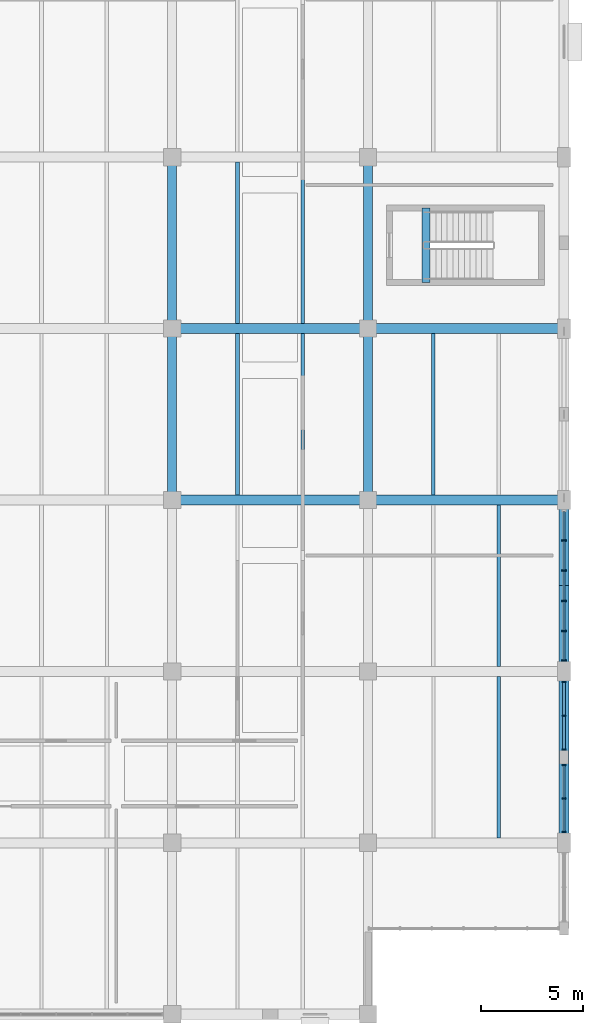
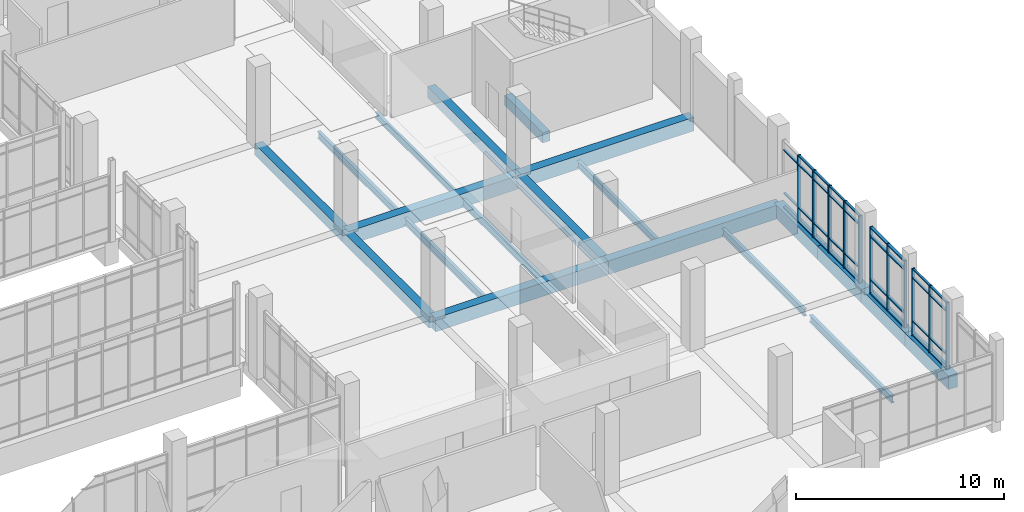
# One storey, part 63 of 152: 46 members, 20 beams, 3 elements without a shape of their own.
"""IFC4 building model written with IfcOpenShell, lengths in metres."""

from ifc_helpers import new_model, si_unit, direction, frame, origin, origin_2d, place, context, subcontext, project, spatial, rectangle, i_section, extrude, material, material_profile, profile_set, type_object, element, aggregate, save


model = new_model("IFC4")

# Units and contexts
model_context = context("Model", 3, precision=1e-05, world=origin(), true_north=direction((0.0, 1.0)))
body_context = subcontext(model_context, "Body", "Model", "MODEL_VIEW")
ifc_project = project(units=[si_unit("LENGTHUNIT", "METRE"), si_unit("AREAUNIT", "SQUARE_METRE"), si_unit("VOLUMEUNIT", "CUBIC_METRE"), si_unit("PLANEANGLEUNIT", "RADIAN"), si_unit("MASSUNIT", "GRAM", prefix="KILO")], contexts=[model_context])

# Site, building, storey
site_placement = place(None, origin())
site = spatial("IfcSite", under=ifc_project, at=site_placement, CompositionType="ELEMENT")
building_placement = place(site_placement, origin())
building = spatial("IfcBuilding", under=site, at=building_placement, Name="Oolite Switchyard Hospital", CompositionType="ELEMENT")
storey_placement = place(building_placement, frame((0.0, 0.0, 5.10009765625)))
storey = spatial("IfcBuildingStorey", under=building, at=storey_placement, Name="L01", CompositionType="ELEMENT", Elevation=5.10009765625)

# Beams
ifc_material_1 = material(Name="Concrete C40/50", Category="concrete")
ifc_material_profile_1 = material_profile(ifc_material_1, rectangle(XDim=0.39990234375, YDim=0.60009765625, at=origin_2d()), Name="RCB400X600")
ifc_profile_set_1 = profile_set([ifc_material_profile_1], Name="Concrete C40/50")
beam_type_1 = type_object("IfcBeamType", Name="BM-RC400X600", PredefinedType="BEAM", material=ifc_profile_set_1)
beam_1_placement = place(storey_placement, frame((204.43994140625, 44.25, -0.300048828125), z_axis=(0.0, 1.0, 0.0), x_axis=(-1.0, 0.0, 0.0)))
element("IfcBeam", 1, at=beam_1_placement, inside=storey, type_object=beam_type_1, Name="L01 ST-06 Stair Throat Trimmer Beam", PredefinedType="BEAM", context=body_context, shape_type="SweptSolid", body=[
    extrude(rectangle(XDim=0.39990234375, YDim=0.60009765625, at=origin_2d()), origin(), (0.0, 0.0, 1.0), 3.659912109375),
])
ifc_material_profile_2 = material_profile(ifc_material_1, rectangle(XDim=0.449951171875, YDim=0.64990234375, at=origin_2d()), Name="RCB450X650")
ifc_profile_set_2 = profile_set([ifc_material_profile_2], Name="Concrete C40/50")
beam_type_2 = type_object("IfcBeamType", Name="BM-RC450X650", PredefinedType="BEAM", material=ifc_profile_set_2)
for number, where, z_axis, x_axis, name in (
    (2, (192.0, 33.60009765625, -0.3251953125), (0.0, 1.0, 0.0), (-1.0, 0.0, 0.0), "L01 Y-Girder 526"),
    (3, (192.0, 42.0, -0.3251953125), (0.0, 1.0, 0.0), (-1.0, 0.0, 0.0), "L01 Y-Girder 527"),
    (4, (201.60009765625, 33.60009765625, -0.3251953125), (0.0, 1.0, 0.0), (-1.0, 0.0, 0.0), "L01 Y-Girder 538"),
    (5, (201.60009765625, 42.0, -0.3251953125), (0.0, 1.0, 0.0), (-1.0, 0.0, 0.0), "L01 Y-Girder 539"),
):
    element("IfcBeam", number, at=place(storey_placement, frame(where, z_axis=z_axis, x_axis=x_axis)), inside=storey, type_object=beam_type_2, Name=name, PredefinedType="BEAM", context=body_context, shape_type="SweptSolid", body=[
        extrude(rectangle(XDim=0.449951171875, YDim=0.64990234375, at=origin_2d()), origin(), (0.0, 0.0, 1.0), 8.39990234375),
    ])
ifc_material_profile_3 = material_profile(ifc_material_1, rectangle(XDim=0.5, YDim=0.800048828125, at=origin_2d()), Name="RCB500X800")
ifc_profile_set_3 = profile_set([ifc_material_profile_3], Name="Concrete C40/50")
beam_type_3 = type_object("IfcBeamType", Name="BM-RC500X800", PredefinedType="BEAM", material=ifc_profile_set_3)
beam_2_placement = place(storey_placement, frame((192.0, 33.60009765625, -0.400146484375), z_axis=(1.0, 0.0, 0.0), x_axis=(0.0, 1.0, 0.0)))
element("IfcBeam", 6, at=beam_2_placement, inside=storey, type_object=beam_type_3, Name="L01 X-Girder 78", PredefinedType="BEAM", context=body_context, shape_type="SweptSolid", body=[
    extrude(rectangle(XDim=0.5, YDim=0.800048828125, at=origin_2d()), origin(), (0.0, 0.0, 1.0), 9.60009765625),
])
beam_3_placement = place(storey_placement, frame((201.60009765625, 33.60009765625, -0.400146484375), z_axis=(1.0, 0.0, 0.0), x_axis=(0.0, 1.0, 0.0)))
element("IfcBeam", 7, at=beam_3_placement, inside=storey, type_object=beam_type_3, Name="L01 X-Girder 79", PredefinedType="BEAM", context=body_context, shape_type="SweptSolid", body=[
    extrude(rectangle(XDim=0.5, YDim=0.800048828125, at=origin_2d()), origin(), (0.0, 0.0, 1.0), 9.599853515625),
])
beam_4_placement = place(storey_placement, frame((192.0, 42.0, -0.400146484375), z_axis=(1.0, 0.0, 0.0), x_axis=(0.0, 1.0, 0.0)))
element("IfcBeam", 8, at=beam_4_placement, inside=storey, type_object=beam_type_3, Name="L01 X-Girder 94", PredefinedType="BEAM", context=body_context, shape_type="SweptSolid", body=[
    extrude(rectangle(XDim=0.5, YDim=0.800048828125, at=origin_2d()), origin(), (0.0, 0.0, 1.0), 9.60009765625),
])
beam_5_placement = place(storey_placement, frame((201.60009765625, 42.0, -0.400146484375), z_axis=(1.0, 0.0, 0.0), x_axis=(0.0, 1.0, 0.0)))
element("IfcBeam", 9, at=beam_5_placement, inside=storey, type_object=beam_type_3, Name="L01 X-Girder 95", PredefinedType="BEAM", context=body_context, shape_type="SweptSolid", body=[
    extrude(rectangle(XDim=0.5, YDim=0.800048828125, at=origin_2d()), origin(), (0.0, 0.0, 1.0), 9.599853515625),
])
for number, where, z_axis, x_axis, name in (
    (10, (211.199951171875, 16.800048828125, -0.400146484375), (0.0, 1.0, 0.0), (-1.0, 0.0, 0.0), "L01 Y-Girder 548"),
    (11, (211.199951171875, 21.0, -0.400146484375), (0.0, 1.0, 0.0), (-1.0, 0.0, 0.0), "L01 Y-Girder 549"),
    (12, (211.199951171875, 25.199951171875, -0.400146484375), (0.0, 1.0, 0.0), (-1.0, 0.0, 0.0), "L01 Y-Girder 550"),
):
    element("IfcBeam", number, at=place(storey_placement, frame(where, z_axis=z_axis, x_axis=x_axis)), inside=storey, type_object=beam_type_3, Name=name, PredefinedType="BEAM", context=body_context, shape_type="SweptSolid", body=[
        extrude(rectangle(XDim=0.5, YDim=0.800048828125, at=origin_2d()), origin(), (0.0, 0.0, 1.0), 4.199951171875),
    ])
beam_6_placement = place(storey_placement, frame((211.199951171875, 29.39990234375, -0.400146484375), z_axis=(0.0, 1.0, 0.0), x_axis=(-1.0, 0.0, 0.0)))
element("IfcBeam", 13, at=beam_6_placement, inside=storey, type_object=beam_type_3, Name="L01 Y-Girder 551", PredefinedType="BEAM", context=body_context, shape_type="SweptSolid", body=[
    extrude(rectangle(XDim=0.5, YDim=0.800048828125, at=origin_2d()), origin(), (0.0, 0.0, 1.0), 4.2001953125),
])
ifc_material_2 = material(Name="Steel ASTM A992 Grade 50", Category="steel")
ifc_material_profile_4 = material_profile(ifc_material_2, i_section(OverallWidth=0.1708984375, OverallDepth=0.35107421875, WebThickness=0.007080078125, FlangeThickness=0.010009765625, at=origin_2d()), Name="W14X30")
ifc_profile_set_4 = profile_set([ifc_material_profile_4], Name="Steel ASTM A992 Grade 50")
beam_type_4 = type_object("IfcBeamType", Name="BM-W14X30", PredefinedType="JOIST", material=ifc_profile_set_4)
beam_7_placement = place(storey_placement, frame((198.39990234375, 42.25, -0.4501953125), z_axis=(0.0, 1.0, 0.0), x_axis=(-1.0, 0.0, 0.0)))
element("IfcBeam", 14, at=beam_7_placement, inside=storey, type_object=beam_type_4, Name="L01 Secondary Steel Joist 959", PredefinedType="JOIST", context=body_context, shape_type="SweptSolid", body=[
    extrude(i_section(OverallWidth=0.1708984375, OverallDepth=0.35107421875, WebThickness=0.007080078125, FlangeThickness=0.010009765625, at=origin_2d()), origin(), (0.0, 0.0, 1.0), 7.89990234375),
])
ifc_material_profile_5 = material_profile(ifc_material_2, i_section(OverallWidth=0.177978515625, OverallDepth=0.403076171875, WebThickness=0.008056640625, FlangeThickness=0.010986328125, at=origin_2d()), Name="W16X36")
ifc_profile_set_5 = profile_set([ifc_material_profile_5], Name="Steel ASTM A992 Grade 50")
beam_type_5 = type_object("IfcBeamType", Name="BM-W16X36", PredefinedType="JOIST", material=ifc_profile_set_5)
for number, where, z_axis, x_axis, name in (
    (15, (198.39990234375, 33.85009765625, -0.47705078125), (0.0, 1.0, 0.0), (-1.0, 0.0, 0.0), "L01 Secondary Steel Joist 957"),
    (16, (195.199951171875, 42.25, -0.47705078125), (0.0, 1.0, 0.0), (-1.0, 0.0, 0.0), "L01 Secondary Steel Joist 958"),
):
    element("IfcBeam", number, at=place(storey_placement, frame(where, z_axis=z_axis, x_axis=x_axis)), inside=storey, type_object=beam_type_5, Name=name, PredefinedType="JOIST", context=body_context, shape_type="SweptSolid", body=[
        extrude(i_section(OverallWidth=0.177978515625, OverallDepth=0.403076171875, WebThickness=0.008056640625, FlangeThickness=0.010986328125, at=origin_2d()), origin(), (0.0, 0.0, 1.0), 7.89990234375),
    ])
beam_8_placement = place(storey_placement, frame((208.0, 25.449951171875, -0.47705078125), z_axis=(0.0, 1.0, 0.0), x_axis=(-1.0, 0.0, 0.0)))
element("IfcBeam", 17, at=beam_8_placement, inside=storey, type_object=beam_type_5, Name="L01 Secondary Steel Joist 975", PredefinedType="JOIST", context=body_context, shape_type="SweptSolid", body=[
    extrude(i_section(OverallWidth=0.177978515625, OverallDepth=0.403076171875, WebThickness=0.008056640625, FlangeThickness=0.010986328125, at=origin_2d()), origin(), (0.0, 0.0, 1.0), 7.900146484375),
])
beam_9_placement = place(storey_placement, frame((204.800048828125, 33.85009765625, -0.47705078125), z_axis=(0.0, 1.0, 0.0), x_axis=(-1.0, 0.0, 0.0)))
element("IfcBeam", 18, at=beam_9_placement, inside=storey, type_object=beam_type_5, Name="L01 Secondary Steel Joist 976", PredefinedType="JOIST", context=body_context, shape_type="SweptSolid", body=[
    extrude(i_section(OverallWidth=0.177978515625, OverallDepth=0.403076171875, WebThickness=0.008056640625, FlangeThickness=0.010986328125, at=origin_2d()), origin(), (0.0, 0.0, 1.0), 7.89990234375),
])
ifc_material_profile_6 = material_profile(ifc_material_2, i_section(OverallWidth=0.179931640625, OverallDepth=0.4130859375, WebThickness=0.010009765625, FlangeThickness=0.01611328125, at=origin_2d()), Name="W16X50")
ifc_profile_set_6 = profile_set([ifc_material_profile_6], Name="Steel ASTM A992 Grade 50")
beam_type_6 = type_object("IfcBeamType", Name="BM-W16X50", PredefinedType="JOIST", material=ifc_profile_set_6)
for number, where, z_axis, x_axis, name in (
    (19, (195.199951171875, 33.85009765625, -0.482177734375), (0.0, 1.0, 0.0), (-1.0, 0.0, 0.0), "L01 Secondary Steel Joist 956"),
    (20, (208.0, 17.050048828125, -0.482177734375), (0.0, 1.0, 0.0), (-1.0, 0.0, 0.0), "L01 Secondary Steel Joist 973"),
):
    element("IfcBeam", number, at=place(storey_placement, frame(where, z_axis=z_axis, x_axis=x_axis)), inside=storey, type_object=beam_type_6, Name=name, PredefinedType="JOIST", context=body_context, shape_type="SweptSolid", body=[
        extrude(i_section(OverallWidth=0.179931640625, OverallDepth=0.4130859375, WebThickness=0.010009765625, FlangeThickness=0.01611328125, at=origin_2d()), origin(), (0.0, 0.0, 1.0), 7.89990234375),
    ])

# Curtain wall, members
ifc_material_3 = material(Name="Thermally broken aluminum frame with laminated impact glazing", Category="aluminium")
curtain_wall_type = type_object("IfcCurtainWallType", Name="CW-UNIT-84X48", PredefinedType="USERDEFINED", material=ifc_material_3)
curtain_wall_1_placement = place(storey_placement, origin())
curtain_wall_1 = element("IfcCurtainWall", 21, at=curtain_wall_1_placement, inside=storey, type_object=curtain_wall_type, Name="L01 Unitised Curtain Wall 203", ObjectType="UNITISED", PredefinedType="USERDEFINED")
ifc_material_4 = material(Name="Aluminium 6063-T6", Category="aluminium")
ifc_material_profile_7 = material_profile(ifc_material_4, rectangle(XDim=0.159912109375, YDim=0.06005859375, at=origin_2d()), Name="CWM60X160")
ifc_profile_set_7 = profile_set([ifc_material_profile_7], Name="Aluminium 6063-T6")
member_type_1 = type_object("IfcMemberType", Name="CW-MUL-180", PredefinedType="MULLION", material=ifc_profile_set_7)
member_1_placement = place(storey_placement, frame((211.199951171875, 24.679931640625, 0.0), z_axis=(0.0, 0.0, 1.0), x_axis=(1.0, 0.0, 0.0)))
member_1 = element("IfcMember", 22, at=member_1_placement, type_object=member_type_1, Name="CW-07 mullion 1", PredefinedType="MULLION", context=body_context, shape_type="SweptSolid", body=[
    extrude(rectangle(XDim=0.159912109375, YDim=0.06005859375, at=origin_2d()), origin(), (0.0, 0.0, 1.0), 3.93994140625),
])
member_2_placement = place(storey_placement, frame((211.199951171875, 23.02490234375, 0.0), z_axis=(0.0, 0.0, 1.0), x_axis=(1.0, 0.0, 0.0)))
member_2 = element("IfcMember", 23, at=member_2_placement, type_object=member_type_1, Name="CW-07 mullion 2", PredefinedType="MULLION", context=body_context, shape_type="SweptSolid", body=[
    extrude(rectangle(XDim=0.159912109375, YDim=0.06005859375, at=origin_2d()), origin(), (0.0, 0.0, 1.0), 3.93994140625),
])
member_3_placement = place(storey_placement, frame((211.199951171875, 21.3701171875, 0.0), z_axis=(0.0, 0.0, 1.0), x_axis=(1.0, 0.0, 0.0)))
member_3 = element("IfcMember", 24, at=member_3_placement, type_object=member_type_1, Name="CW-07 mullion 3", PredefinedType="MULLION", context=body_context, shape_type="SweptSolid", body=[
    extrude(rectangle(XDim=0.159912109375, YDim=0.06005859375, at=origin_2d()), origin(), (0.0, 0.0, 1.0), 3.93994140625),
])

curtain_wall_2_placement = place(storey_placement, origin())
curtain_wall_2 = element("IfcCurtainWall", 25, at=curtain_wall_2_placement, inside=storey, type_object=curtain_wall_type, Name="L01 Unitised Curtain Wall 204", ObjectType="UNITISED", PredefinedType="USERDEFINED")
ifc_material_profile_8 = material_profile(ifc_material_4, rectangle(XDim=0.179931640625, YDim=0.070068359375, at=origin_2d()), Name="CWM70X180")
ifc_profile_set_8 = profile_set([ifc_material_profile_8], Name="Aluminium 6063-T6")
member_type_2 = type_object("IfcMemberType", Name="CW-MUL-220", PredefinedType="MULLION", material=ifc_profile_set_8)
member_4_placement = place(storey_placement, frame((211.199951171875, 20.625, 0.0), z_axis=(0.0, 0.0, 1.0), x_axis=(1.0, 0.0, 0.0)))
member_4 = element("IfcMember", 26, at=member_4_placement, type_object=member_type_2, Name="CW-07 mullion 1", PredefinedType="MULLION", context=body_context, shape_type="SweptSolid", body=[
    extrude(rectangle(XDim=0.179931640625, YDim=0.070068359375, at=origin_2d()), origin(), (0.0, 0.0, 1.0), 3.93994140625),
])
member_5_placement = place(storey_placement, frame((211.199951171875, 18.97509765625, 0.0), z_axis=(0.0, 0.0, 1.0), x_axis=(1.0, 0.0, 0.0)))
member_5 = element("IfcMember", 27, at=member_5_placement, type_object=member_type_2, Name="CW-07 mullion 2", PredefinedType="MULLION", context=body_context, shape_type="SweptSolid", body=[
    extrude(rectangle(XDim=0.179931640625, YDim=0.070068359375, at=origin_2d()), origin(), (0.0, 0.0, 1.0), 3.93994140625),
])
member_6_placement = place(storey_placement, frame((211.199951171875, 17.324951171875, 0.0), z_axis=(0.0, 0.0, 1.0), x_axis=(1.0, 0.0, 0.0)))
member_6 = element("IfcMember", 28, at=member_6_placement, type_object=member_type_2, Name="CW-07 mullion 3", PredefinedType="MULLION", context=body_context, shape_type="SweptSolid", body=[
    extrude(rectangle(XDim=0.179931640625, YDim=0.070068359375, at=origin_2d()), origin(), (0.0, 0.0, 1.0), 3.93994140625),
])

curtain_wall_3_placement = place(storey_placement, origin())
curtain_wall_3 = element("IfcCurtainWall", 29, at=curtain_wall_3_placement, inside=storey, type_object=curtain_wall_type, Name="L01 Unitised Curtain Wall 202", ObjectType="UNITISED", PredefinedType="USERDEFINED")
ifc_material_profile_9 = material_profile(ifc_material_4, rectangle(XDim=0.199951171875, YDim=0.074951171875, at=origin_2d()), Name="CWM75X200")
ifc_profile_set_9 = profile_set([ifc_material_profile_9], Name="Aluminium 6063-T6")
member_type_3 = type_object("IfcMemberType", Name="CW-MUL-260", PredefinedType="MULLION", material=ifc_profile_set_9)
member_7_placement = place(storey_placement, frame((211.199951171875, 31.6259765625, 0.0), z_axis=(0.0, 0.0, 1.0), x_axis=(1.0, 0.0, 0.0)))
member_7 = element("IfcMember", 30, at=member_7_placement, type_object=member_type_3, Name="CW-07 mullion 2", PredefinedType="MULLION", context=body_context, shape_type="SweptSolid", body=[
    extrude(rectangle(XDim=0.199951171875, YDim=0.074951171875, at=origin_2d()), origin(), (0.0, 0.0, 1.0), 3.93994140625),
])
member_8_placement = place(storey_placement, frame((211.199951171875, 30.14208984375, 0.0), z_axis=(0.0, 0.0, 1.0), x_axis=(1.0, 0.0, 0.0)))
member_8 = element("IfcMember", 31, at=member_8_placement, type_object=member_type_3, Name="CW-07 mullion 3", PredefinedType="MULLION", context=body_context, shape_type="SweptSolid", body=[
    extrude(rectangle(XDim=0.199951171875, YDim=0.074951171875, at=origin_2d()), origin(), (0.0, 0.0, 1.0), 3.93994140625),
])
member_9_placement = place(storey_placement, frame((211.199951171875, 28.657958984375, 0.0), z_axis=(0.0, 0.0, 1.0), x_axis=(1.0, 0.0, 0.0)))
member_9 = element("IfcMember", 32, at=member_9_placement, type_object=member_type_3, Name="CW-07 mullion 4", PredefinedType="MULLION", context=body_context, shape_type="SweptSolid", body=[
    extrude(rectangle(XDim=0.199951171875, YDim=0.074951171875, at=origin_2d()), origin(), (0.0, 0.0, 1.0), 3.93994140625),
])
member_10_placement = place(storey_placement, frame((211.199951171875, 27.174072265625, 0.0), z_axis=(0.0, 0.0, 1.0), x_axis=(1.0, 0.0, 0.0)))
member_10 = element("IfcMember", 33, at=member_10_placement, type_object=member_type_3, Name="CW-07 mullion 5", PredefinedType="MULLION", context=body_context, shape_type="SweptSolid", body=[
    extrude(rectangle(XDim=0.199951171875, YDim=0.074951171875, at=origin_2d()), origin(), (0.0, 0.0, 1.0), 3.93994140625),
])
member_11_placement = place(storey_placement, frame((211.199951171875, 25.7275390625, 0.0), z_axis=(0.0, 0.0, 1.0), x_axis=(1.0, 0.0, 0.0)))
member_11 = element("IfcMember", 34, at=member_11_placement, type_object=member_type_3, Name="CW-07 mullion 6", PredefinedType="MULLION", context=body_context, shape_type="SweptSolid", body=[
    extrude(rectangle(XDim=0.199951171875, YDim=0.074951171875, at=origin_2d()), origin(), (0.0, 0.0, 1.0), 3.93994140625),
])
ifc_material_profile_10 = material_profile(ifc_material_4, rectangle(XDim=0.1201171875, YDim=0.06005859375, at=origin_2d()), Name="CWT60X120")
ifc_profile_set_10 = profile_set([ifc_material_profile_10], Name="Aluminium 6063-T6")
member_type_4 = type_object("IfcMemberType", Name="CW-TRN-150", PredefinedType="USERDEFINED", material=ifc_profile_set_10)
member_12_placement = place(storey_placement, frame((211.199951171875, 33.034912109375, 0.02978515625), z_axis=(0.0, -1.0, 0.0), x_axis=(1.0, 0.0, 0.0)))
member_12 = element("IfcMember", 35, at=member_12_placement, type_object=member_type_4, Name="CW-07 transom 1.1", ObjectType="TRANSOM", PredefinedType="USERDEFINED", context=body_context, shape_type="SweptSolid", body=[
    extrude(rectangle(XDim=0.1201171875, YDim=0.06005859375, at=origin_2d()), origin(), (0.0, 0.0, 1.0), 1.371337890625),
])
member_13_placement = place(storey_placement, frame((211.199951171875, 33.034912109375, 0.849853515625), z_axis=(0.0, -1.0, 0.0), x_axis=(1.0, 0.0, 0.0)))
member_13 = element("IfcMember", 36, at=member_13_placement, type_object=member_type_4, Name="CW-07 transom 1.2", ObjectType="TRANSOM", PredefinedType="USERDEFINED", context=body_context, shape_type="SweptSolid", body=[
    extrude(rectangle(XDim=0.1201171875, YDim=0.06005859375, at=origin_2d()), origin(), (0.0, 0.0, 1.0), 1.371337890625),
])
member_14_placement = place(storey_placement, frame((211.199951171875, 33.034912109375, 3.389892578125), z_axis=(0.0, -1.0, 0.0), x_axis=(1.0, 0.0, 0.0)))
member_14 = element("IfcMember", 37, at=member_14_placement, type_object=member_type_4, Name="CW-07 transom 1.3", ObjectType="TRANSOM", PredefinedType="USERDEFINED", context=body_context, shape_type="SweptSolid", body=[
    extrude(rectangle(XDim=0.1201171875, YDim=0.06005859375, at=origin_2d()), origin(), (0.0, 0.0, 1.0), 1.371337890625),
])
member_15_placement = place(storey_placement, frame((211.199951171875, 31.58837890625, 0.02978515625), z_axis=(0.0, -1.0, 0.0), x_axis=(1.0, 0.0, 0.0)))
member_15 = element("IfcMember", 38, at=member_15_placement, type_object=member_type_4, Name="CW-07 transom 2.1", ObjectType="TRANSOM", PredefinedType="USERDEFINED", context=body_context, shape_type="SweptSolid", body=[
    extrude(rectangle(XDim=0.1201171875, YDim=0.06005859375, at=origin_2d()), origin(), (0.0, 0.0, 1.0), 1.408935546875),
])
member_16_placement = place(storey_placement, frame((211.199951171875, 31.58837890625, 0.849853515625), z_axis=(0.0, -1.0, 0.0), x_axis=(1.0, 0.0, 0.0)))
member_16 = element("IfcMember", 39, at=member_16_placement, type_object=member_type_4, Name="CW-07 transom 2.2", ObjectType="TRANSOM", PredefinedType="USERDEFINED", context=body_context, shape_type="SweptSolid", body=[
    extrude(rectangle(XDim=0.1201171875, YDim=0.06005859375, at=origin_2d()), origin(), (0.0, 0.0, 1.0), 1.408935546875),
])
member_17_placement = place(storey_placement, frame((211.199951171875, 31.58837890625, 3.389892578125), z_axis=(0.0, -1.0, 0.0), x_axis=(1.0, 0.0, 0.0)))
member_17 = element("IfcMember", 40, at=member_17_placement, type_object=member_type_4, Name="CW-07 transom 2.3", ObjectType="TRANSOM", PredefinedType="USERDEFINED", context=body_context, shape_type="SweptSolid", body=[
    extrude(rectangle(XDim=0.1201171875, YDim=0.06005859375, at=origin_2d()), origin(), (0.0, 0.0, 1.0), 1.408935546875),
])
member_18_placement = place(storey_placement, frame((211.199951171875, 31.58837890625, 3.909912109375), z_axis=(0.0, -1.0, 0.0), x_axis=(1.0, 0.0, 0.0)))
member_18 = element("IfcMember", 41, at=member_18_placement, type_object=member_type_4, Name="CW-07 transom 2.4", ObjectType="TRANSOM", PredefinedType="USERDEFINED", context=body_context, shape_type="SweptSolid", body=[
    extrude(rectangle(XDim=0.1201171875, YDim=0.06005859375, at=origin_2d()), origin(), (0.0, 0.0, 1.0), 1.408935546875),
])
member_19_placement = place(storey_placement, frame((211.199951171875, 30.1044921875, 0.02978515625), z_axis=(0.0, -1.0, 0.0), x_axis=(1.0, 0.0, 0.0)))
member_19 = element("IfcMember", 42, at=member_19_placement, type_object=member_type_4, Name="CW-07 transom 3.1", ObjectType="TRANSOM", PredefinedType="USERDEFINED", context=body_context, shape_type="SweptSolid", body=[
    extrude(rectangle(XDim=0.1201171875, YDim=0.06005859375, at=origin_2d()), origin(), (0.0, 0.0, 1.0), 1.408935546875),
])
member_20_placement = place(storey_placement, frame((211.199951171875, 30.1044921875, 0.849853515625), z_axis=(0.0, -1.0, 0.0), x_axis=(1.0, 0.0, 0.0)))
member_20 = element("IfcMember", 43, at=member_20_placement, type_object=member_type_4, Name="CW-07 transom 3.2", ObjectType="TRANSOM", PredefinedType="USERDEFINED", context=body_context, shape_type="SweptSolid", body=[
    extrude(rectangle(XDim=0.1201171875, YDim=0.06005859375, at=origin_2d()), origin(), (0.0, 0.0, 1.0), 1.408935546875),
])
member_21_placement = place(storey_placement, frame((211.199951171875, 30.1044921875, 3.389892578125), z_axis=(0.0, -1.0, 0.0), x_axis=(1.0, 0.0, 0.0)))
member_21 = element("IfcMember", 44, at=member_21_placement, type_object=member_type_4, Name="CW-07 transom 3.3", ObjectType="TRANSOM", PredefinedType="USERDEFINED", context=body_context, shape_type="SweptSolid", body=[
    extrude(rectangle(XDim=0.1201171875, YDim=0.06005859375, at=origin_2d()), origin(), (0.0, 0.0, 1.0), 1.408935546875),
])
member_22_placement = place(storey_placement, frame((211.199951171875, 30.1044921875, 3.909912109375), z_axis=(0.0, -1.0, 0.0), x_axis=(1.0, 0.0, 0.0)))
member_22 = element("IfcMember", 45, at=member_22_placement, type_object=member_type_4, Name="CW-07 transom 3.4", ObjectType="TRANSOM", PredefinedType="USERDEFINED", context=body_context, shape_type="SweptSolid", body=[
    extrude(rectangle(XDim=0.1201171875, YDim=0.06005859375, at=origin_2d()), origin(), (0.0, 0.0, 1.0), 1.408935546875),
])
member_23_placement = place(storey_placement, frame((211.199951171875, 28.62060546875, 0.02978515625), z_axis=(0.0, -1.0, 0.0), x_axis=(1.0, 0.0, 0.0)))
member_23 = element("IfcMember", 46, at=member_23_placement, type_object=member_type_4, Name="CW-07 transom 4.1", ObjectType="TRANSOM", PredefinedType="USERDEFINED", context=body_context, shape_type="SweptSolid", body=[
    extrude(rectangle(XDim=0.1201171875, YDim=0.06005859375, at=origin_2d()), origin(), (0.0, 0.0, 1.0), 1.4091796875),
])
member_24_placement = place(storey_placement, frame((211.199951171875, 28.62060546875, 0.849853515625), z_axis=(0.0, -1.0, 0.0), x_axis=(1.0, 0.0, 0.0)))
member_24 = element("IfcMember", 47, at=member_24_placement, type_object=member_type_4, Name="CW-07 transom 4.2", ObjectType="TRANSOM", PredefinedType="USERDEFINED", context=body_context, shape_type="SweptSolid", body=[
    extrude(rectangle(XDim=0.1201171875, YDim=0.06005859375, at=origin_2d()), origin(), (0.0, 0.0, 1.0), 1.4091796875),
])
member_25_placement = place(storey_placement, frame((211.199951171875, 28.62060546875, 3.389892578125), z_axis=(0.0, -1.0, 0.0), x_axis=(1.0, 0.0, 0.0)))
member_25 = element("IfcMember", 48, at=member_25_placement, type_object=member_type_4, Name="CW-07 transom 4.3", ObjectType="TRANSOM", PredefinedType="USERDEFINED", context=body_context, shape_type="SweptSolid", body=[
    extrude(rectangle(XDim=0.1201171875, YDim=0.06005859375, at=origin_2d()), origin(), (0.0, 0.0, 1.0), 1.4091796875),
])
member_26_placement = place(storey_placement, frame((211.199951171875, 28.62060546875, 3.909912109375), z_axis=(0.0, -1.0, 0.0), x_axis=(1.0, 0.0, 0.0)))
member_26 = element("IfcMember", 49, at=member_26_placement, type_object=member_type_4, Name="CW-07 transom 4.4", ObjectType="TRANSOM", PredefinedType="USERDEFINED", context=body_context, shape_type="SweptSolid", body=[
    extrude(rectangle(XDim=0.1201171875, YDim=0.06005859375, at=origin_2d()), origin(), (0.0, 0.0, 1.0), 1.4091796875),
])
member_27_placement = place(storey_placement, frame((211.199951171875, 27.136474609375, 0.02978515625), z_axis=(0.0, -1.0, 0.0), x_axis=(1.0, 0.0, 0.0)))
member_27 = element("IfcMember", 50, at=member_27_placement, type_object=member_type_4, Name="CW-07 transom 5.1", ObjectType="TRANSOM", PredefinedType="USERDEFINED", context=body_context, shape_type="SweptSolid", body=[
    extrude(rectangle(XDim=0.1201171875, YDim=0.06005859375, at=origin_2d()), origin(), (0.0, 0.0, 1.0), 1.37158203125),
])
member_28_placement = place(storey_placement, frame((211.199951171875, 27.136474609375, 0.849853515625), z_axis=(0.0, -1.0, 0.0), x_axis=(1.0, 0.0, 0.0)))
member_28 = element("IfcMember", 51, at=member_28_placement, type_object=member_type_4, Name="CW-07 transom 5.2", ObjectType="TRANSOM", PredefinedType="USERDEFINED", context=body_context, shape_type="SweptSolid", body=[
    extrude(rectangle(XDim=0.1201171875, YDim=0.06005859375, at=origin_2d()), origin(), (0.0, 0.0, 1.0), 1.37158203125),
])
member_29_placement = place(storey_placement, frame((211.199951171875, 27.136474609375, 3.389892578125), z_axis=(0.0, -1.0, 0.0), x_axis=(1.0, 0.0, 0.0)))
member_29 = element("IfcMember", 52, at=member_29_placement, type_object=member_type_4, Name="CW-07 transom 5.3", ObjectType="TRANSOM", PredefinedType="USERDEFINED", context=body_context, shape_type="SweptSolid", body=[
    extrude(rectangle(XDim=0.1201171875, YDim=0.06005859375, at=origin_2d()), origin(), (0.0, 0.0, 1.0), 1.37158203125),
])
member_30_placement = place(storey_placement, frame((211.199951171875, 27.136474609375, 3.909912109375), z_axis=(0.0, -1.0, 0.0), x_axis=(1.0, 0.0, 0.0)))
member_30 = element("IfcMember", 53, at=member_30_placement, type_object=member_type_4, Name="CW-07 transom 5.4", ObjectType="TRANSOM", PredefinedType="USERDEFINED", context=body_context, shape_type="SweptSolid", body=[
    extrude(rectangle(XDim=0.1201171875, YDim=0.06005859375, at=origin_2d()), origin(), (0.0, 0.0, 1.0), 1.37158203125),
])
aggregate(curtain_wall_3, [member_7, member_8, member_9, member_10, member_11, member_12, member_13, member_14, member_15, member_16, member_17, member_18, member_19, member_20, member_21, member_22, member_23, member_24, member_25, member_26, member_27, member_28, member_29, member_30])

# Member
member_31_placement = place(storey_placement, frame((211.199951171875, 20.590087890625, 0.02978515625), z_axis=(0.0, -1.0, 0.0), x_axis=(1.0, 0.0, 0.0)))
member_31 = element("IfcMember", 54, at=member_31_placement, type_object=member_type_4, Name="CW-07 transom 1.1", ObjectType="TRANSOM", PredefinedType="USERDEFINED", context=body_context, shape_type="SweptSolid", body=[
    extrude(rectangle(XDim=0.1201171875, YDim=0.06005859375, at=origin_2d()), origin(), (0.0, 0.0, 1.0), 1.580078125),
])

member_32_placement = place(storey_placement, frame((211.199951171875, 20.590087890625, 0.849853515625), z_axis=(0.0, -1.0, 0.0), x_axis=(1.0, 0.0, 0.0)))
member_32 = element("IfcMember", 55, at=member_32_placement, type_object=member_type_4, Name="CW-07 transom 1.2", ObjectType="TRANSOM", PredefinedType="USERDEFINED", context=body_context, shape_type="SweptSolid", body=[
    extrude(rectangle(XDim=0.1201171875, YDim=0.06005859375, at=origin_2d()), origin(), (0.0, 0.0, 1.0), 1.580078125),
])

member_33_placement = place(storey_placement, frame((211.199951171875, 20.590087890625, 3.389892578125), z_axis=(0.0, -1.0, 0.0), x_axis=(1.0, 0.0, 0.0)))
member_33 = element("IfcMember", 56, at=member_33_placement, type_object=member_type_4, Name="CW-07 transom 1.3", ObjectType="TRANSOM", PredefinedType="USERDEFINED", context=body_context, shape_type="SweptSolid", body=[
    extrude(rectangle(XDim=0.1201171875, YDim=0.06005859375, at=origin_2d()), origin(), (0.0, 0.0, 1.0), 1.580078125),
])

member_34_placement = place(storey_placement, frame((211.199951171875, 20.590087890625, 3.909912109375), z_axis=(0.0, -1.0, 0.0), x_axis=(1.0, 0.0, 0.0)))
member_34 = element("IfcMember", 57, at=member_34_placement, type_object=member_type_4, Name="CW-07 transom 1.4", ObjectType="TRANSOM", PredefinedType="USERDEFINED", context=body_context, shape_type="SweptSolid", body=[
    extrude(rectangle(XDim=0.1201171875, YDim=0.06005859375, at=origin_2d()), origin(), (0.0, 0.0, 1.0), 1.580078125),
])

member_35_placement = place(storey_placement, frame((211.199951171875, 18.93994140625, 0.02978515625), z_axis=(0.0, -1.0, 0.0), x_axis=(1.0, 0.0, 0.0)))
member_35 = element("IfcMember", 58, at=member_35_placement, type_object=member_type_4, Name="CW-07 transom 2.1", ObjectType="TRANSOM", PredefinedType="USERDEFINED", context=body_context, shape_type="SweptSolid", body=[
    extrude(rectangle(XDim=0.1201171875, YDim=0.06005859375, at=origin_2d()), origin(), (0.0, 0.0, 1.0), 1.579833984375),
])

member_36_placement = place(storey_placement, frame((211.199951171875, 18.93994140625, 0.849853515625), z_axis=(0.0, -1.0, 0.0), x_axis=(1.0, 0.0, 0.0)))
member_36 = element("IfcMember", 59, at=member_36_placement, type_object=member_type_4, Name="CW-07 transom 2.2", ObjectType="TRANSOM", PredefinedType="USERDEFINED", context=body_context, shape_type="SweptSolid", body=[
    extrude(rectangle(XDim=0.1201171875, YDim=0.06005859375, at=origin_2d()), origin(), (0.0, 0.0, 1.0), 1.579833984375),
])

member_37_placement = place(storey_placement, frame((211.199951171875, 18.93994140625, 3.389892578125), z_axis=(0.0, -1.0, 0.0), x_axis=(1.0, 0.0, 0.0)))
member_37 = element("IfcMember", 60, at=member_37_placement, type_object=member_type_4, Name="CW-07 transom 2.3", ObjectType="TRANSOM", PredefinedType="USERDEFINED", context=body_context, shape_type="SweptSolid", body=[
    extrude(rectangle(XDim=0.1201171875, YDim=0.06005859375, at=origin_2d()), origin(), (0.0, 0.0, 1.0), 1.579833984375),
])

member_38_placement = place(storey_placement, frame((211.199951171875, 18.93994140625, 3.909912109375), z_axis=(0.0, -1.0, 0.0), x_axis=(1.0, 0.0, 0.0)))
member_38 = element("IfcMember", 61, at=member_38_placement, type_object=member_type_4, Name="CW-07 transom 2.4", ObjectType="TRANSOM", PredefinedType="USERDEFINED", context=body_context, shape_type="SweptSolid", body=[
    extrude(rectangle(XDim=0.1201171875, YDim=0.06005859375, at=origin_2d()), origin(), (0.0, 0.0, 1.0), 1.579833984375),
])

aggregate(curtain_wall_2, [member_4, member_5, member_6, member_31, member_32, member_33, member_34, member_35, member_36, member_37, member_38])

ifc_material_profile_11 = material_profile(ifc_material_4, rectangle(XDim=0.159912109375, YDim=0.074951171875, at=origin_2d()), Name="CWT75X160")
ifc_profile_set_11 = profile_set([ifc_material_profile_11], Name="Aluminium 6063-T6")
member_type_5 = type_object("IfcMemberType", Name="CW-TRN-180", PredefinedType="USERDEFINED", material=ifc_profile_set_11)
member_39_placement = place(storey_placement, frame((211.199951171875, 24.64990234375, 0.037353515625), z_axis=(0.0, -1.0, 0.0), x_axis=(1.0, 0.0, 0.0)))
member_39 = element("IfcMember", 62, at=member_39_placement, type_object=member_type_5, Name="CW-07 transom 1.1", ObjectType="TRANSOM", PredefinedType="USERDEFINED", context=body_context, shape_type="SweptSolid", body=[
    extrude(rectangle(XDim=0.159912109375, YDim=0.074951171875, at=origin_2d()), origin(), (0.0, 0.0, 1.0), 1.594970703125),
])

member_40_placement = place(storey_placement, frame((211.199951171875, 24.64990234375, 0.849853515625), z_axis=(0.0, -1.0, 0.0), x_axis=(1.0, 0.0, 0.0)))
member_40 = element("IfcMember", 63, at=member_40_placement, type_object=member_type_5, Name="CW-07 transom 1.2", ObjectType="TRANSOM", PredefinedType="USERDEFINED", context=body_context, shape_type="SweptSolid", body=[
    extrude(rectangle(XDim=0.159912109375, YDim=0.074951171875, at=origin_2d()), origin(), (0.0, 0.0, 1.0), 1.594970703125),
])

member_41_placement = place(storey_placement, frame((211.199951171875, 24.64990234375, 3.389892578125), z_axis=(0.0, -1.0, 0.0), x_axis=(1.0, 0.0, 0.0)))
member_41 = element("IfcMember", 64, at=member_41_placement, type_object=member_type_5, Name="CW-07 transom 1.3", ObjectType="TRANSOM", PredefinedType="USERDEFINED", context=body_context, shape_type="SweptSolid", body=[
    extrude(rectangle(XDim=0.159912109375, YDim=0.074951171875, at=origin_2d()), origin(), (0.0, 0.0, 1.0), 1.594970703125),
])

member_42_placement = place(storey_placement, frame((211.199951171875, 24.64990234375, 3.90234375), z_axis=(0.0, -1.0, 0.0), x_axis=(1.0, 0.0, 0.0)))
member_42 = element("IfcMember", 65, at=member_42_placement, type_object=member_type_5, Name="CW-07 transom 1.4", ObjectType="TRANSOM", PredefinedType="USERDEFINED", context=body_context, shape_type="SweptSolid", body=[
    extrude(rectangle(XDim=0.159912109375, YDim=0.074951171875, at=origin_2d()), origin(), (0.0, 0.0, 1.0), 1.594970703125),
])

member_43_placement = place(storey_placement, frame((211.199951171875, 22.9951171875, 0.037353515625), z_axis=(0.0, -1.0, 0.0), x_axis=(1.0, 0.0, 0.0)))
member_43 = element("IfcMember", 66, at=member_43_placement, type_object=member_type_5, Name="CW-07 transom 2.1", ObjectType="TRANSOM", PredefinedType="USERDEFINED", context=body_context, shape_type="SweptSolid", body=[
    extrude(rectangle(XDim=0.159912109375, YDim=0.074951171875, at=origin_2d()), origin(), (0.0, 0.0, 1.0), 1.59521484375),
])

member_44_placement = place(storey_placement, frame((211.199951171875, 22.9951171875, 0.849853515625), z_axis=(0.0, -1.0, 0.0), x_axis=(1.0, 0.0, 0.0)))
member_44 = element("IfcMember", 67, at=member_44_placement, type_object=member_type_5, Name="CW-07 transom 2.2", ObjectType="TRANSOM", PredefinedType="USERDEFINED", context=body_context, shape_type="SweptSolid", body=[
    extrude(rectangle(XDim=0.159912109375, YDim=0.074951171875, at=origin_2d()), origin(), (0.0, 0.0, 1.0), 1.59521484375),
])

member_45_placement = place(storey_placement, frame((211.199951171875, 22.9951171875, 3.389892578125), z_axis=(0.0, -1.0, 0.0), x_axis=(1.0, 0.0, 0.0)))
member_45 = element("IfcMember", 68, at=member_45_placement, type_object=member_type_5, Name="CW-07 transom 2.3", ObjectType="TRANSOM", PredefinedType="USERDEFINED", context=body_context, shape_type="SweptSolid", body=[
    extrude(rectangle(XDim=0.159912109375, YDim=0.074951171875, at=origin_2d()), origin(), (0.0, 0.0, 1.0), 1.59521484375),
])

member_46_placement = place(storey_placement, frame((211.199951171875, 22.9951171875, 3.90234375), z_axis=(0.0, -1.0, 0.0), x_axis=(1.0, 0.0, 0.0)))
member_46 = element("IfcMember", 69, at=member_46_placement, type_object=member_type_5, Name="CW-07 transom 2.4", ObjectType="TRANSOM", PredefinedType="USERDEFINED", context=body_context, shape_type="SweptSolid", body=[
    extrude(rectangle(XDim=0.159912109375, YDim=0.074951171875, at=origin_2d()), origin(), (0.0, 0.0, 1.0), 1.59521484375),
])

aggregate(curtain_wall_1, [member_1, member_2, member_3, member_39, member_40, member_41, member_42, member_43, member_44, member_45, member_46])

save(model, "model.ifc")
